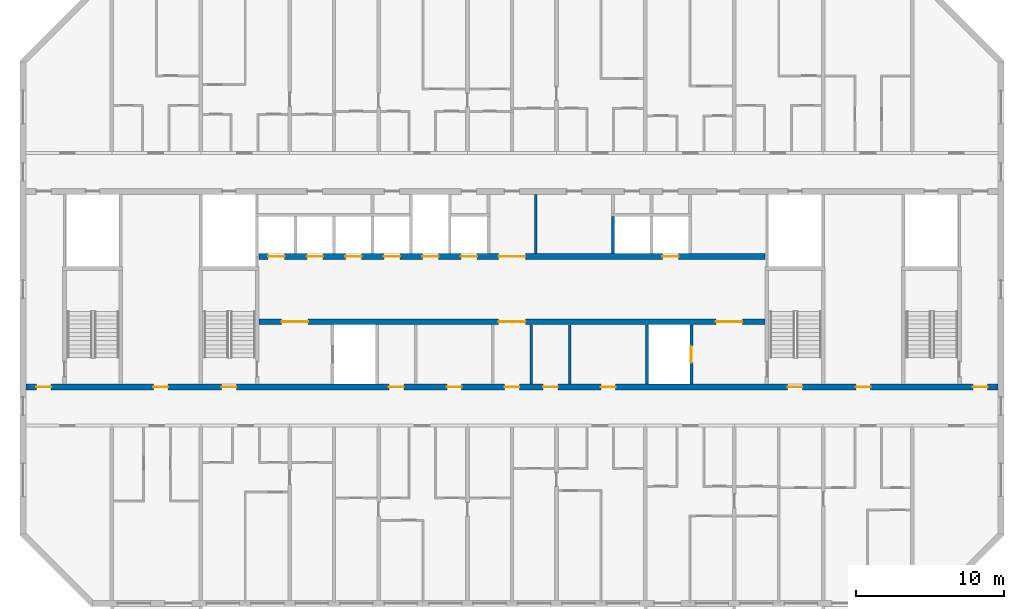
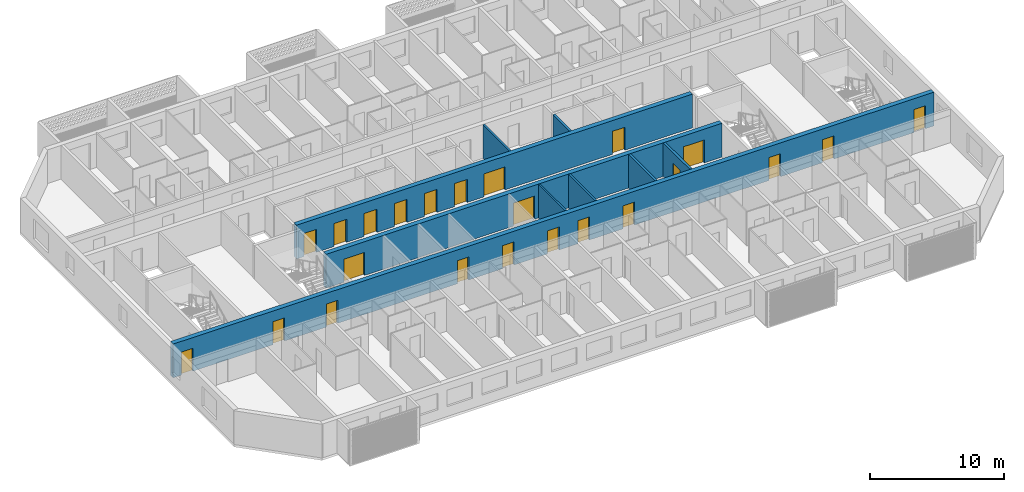
# One storey, part 6 of 28: 23 doors, 9 walls, 23 openings.
"""IFC4 building model written with IfcOpenShell, lengths in metres."""

from ifc_helpers import new_model, si_unit, direction, frame, frame_2d, origin, place, context, subcontext, project, spatial, rectangle, extrude, material, layer, layer_set, type_object, element, fill, save


model = new_model("IFC4")

# Units and contexts
model_context = context("Model", 3, precision=1e-05, world=origin(), true_north=direction((0.0, 1.0)))
body_context = subcontext(model_context, "Body", "Model", "MODEL_VIEW")
ifc_project = project(units=[si_unit("LENGTHUNIT", "METRE"), si_unit("AREAUNIT", "SQUARE_METRE"), si_unit("VOLUMEUNIT", "CUBIC_METRE"), si_unit("PLANEANGLEUNIT", "RADIAN"), si_unit("MASSUNIT", "GRAM", prefix="KILO")], contexts=[model_context])

# Site, building, storey
site_placement = place(None, origin())
site = spatial("IfcSite", under=ifc_project, at=site_placement, CompositionType="ELEMENT")
building_placement = place(site_placement, origin())
building = spatial("IfcBuilding", under=site, at=building_placement, Name="Poui Terraces", CompositionType="ELEMENT")
storey_placement = place(building_placement, frame((0.0, 0.0, 185.10009765625)))
storey = spatial("IfcBuildingStorey", under=building, at=storey_placement, Name="L51", CompositionType="ELEMENT", Elevation=185.10009765625)

# Wall, openings, doors
ifc_material_1 = material(Name="Concrete 50 MPa", Category="concrete")
ifc_layer_1 = layer(ifc_material_1, 0.39990234375)
ifc_layer_set_1 = layer_set([ifc_layer_1], Name="Concrete 50 MPa")
wall_type_1 = type_object("IfcWallType", Name="CORE WALL 400 50 MPA", PredefinedType="SOLIDWALL", material=ifc_layer_set_1)
wall_1_placement = place(storey_placement, frame((33.925048828125, 19.0, 0.0), z_axis=(0.0, 0.0, 1.0), x_axis=(1.0, 0.0, 0.0)))
wall_1 = element("IfcWall", 1, at=wall_1_placement, inside=storey, type_object=wall_type_1, Name="CORE WALL", PredefinedType="SOLIDWALL", context=body_context, shape_type="SweptSolid", body=[
    extrude(rectangle(XDim=34.14990234375, YDim=0.39990234375, at=frame_2d((17.074951171875, 0.0))), origin(), (0.0, 0.0, 1.0), 3.079833984375),
])
opening_1_placement = place(wall_1_placement, frame((16.175048828125, 0.0, 0.0)))
opening_1 = element("IfcOpeningElement", 2, at=opening_1_placement, cuts=wall_1, Name="Opening FDD60", PredefinedType="OPENING", context=body_context, shape_type="SweptSolid", body=[
    extrude(rectangle(XDim=1.800048828125, YDim=2.10009765625, at=frame_2d((0.89990234375, 1.050048828125))), frame((0.0, 0.2099609375, 0.0), z_axis=(0.0, -1.0, 0.0), x_axis=(1.0, 0.0, 0.0)), (0.0, 0.0, 1.0), 0.419921875),
])
opening_2_placement = place(wall_1_placement, frame((1.52490234375, 0.0, 0.0)))
opening_2 = element("IfcOpeningElement", 3, at=opening_2_placement, cuts=wall_1, Name="Opening FDD60", PredefinedType="OPENING", context=body_context, shape_type="SweptSolid", body=[
    extrude(rectangle(XDim=1.800048828125, YDim=2.10009765625, at=frame_2d((0.89990234375, 1.050048828125))), frame((0.0, 0.2099609375, 0.0), z_axis=(0.0, -1.0, 0.0), x_axis=(1.0, 0.0, 0.0)), (0.0, 0.0, 1.0), 0.419921875),
])
opening_3_placement = place(wall_1_placement, frame((30.824951171875, 0.0, 0.0)))
opening_3 = element("IfcOpeningElement", 4, at=opening_3_placement, cuts=wall_1, Name="Opening FDD60", PredefinedType="OPENING", context=body_context, shape_type="SweptSolid", body=[
    extrude(rectangle(XDim=1.800048828125, YDim=2.10009765625, at=frame_2d((0.89990234375, 1.050048828125))), frame((0.0, 0.2099609375, 0.0), z_axis=(0.0, -1.0, 0.0), x_axis=(1.0, 0.0, 0.0)), (0.0, 0.0, 1.0), 0.419921875),
])
ifc_material_2 = material(Name="Steel fire door", Category="steel")
door_type_1 = type_object("IfcDoorType", Name="DOUBLE LOBBY FIRE DOOR 1800 X 2100", OperationType="DOUBLE_DOOR_SINGLE_SWING", PredefinedType="DOOR", material=ifc_material_2)
door_1_placement = place(opening_1_placement, frame((1.800048828125, 0.0, 0.0), z_axis=(0.0, 0.0, 1.0), x_axis=(-1.0, 0.0, 0.0)))
door_1 = element("IfcDoor", 5, at=door_1_placement, inside=storey, type_object=door_type_1, Name="DOUBLE LOBBY FIRE DOOR 107", OperationType="DOUBLE_DOOR_SINGLE_SWING", OverallHeight=2.10009765625, OverallWidth=1.800048828125, PredefinedType="DOOR", context=body_context, shape_type="SweptSolid", body=[
    extrude(rectangle(XDim=1.800048828125, YDim=2.10009765625, at=frame_2d((0.89990234375, 1.050048828125))), frame((0.0, 0.02490234375, 0.0), z_axis=(0.0, -1.0, 0.0), x_axis=(1.0, 0.0, 0.0)), (0.0, 0.0, 1.0), 0.050048828125),
])
fill(opening_1, door_1)
door_2_placement = place(opening_2_placement, origin())
door_2 = element("IfcDoor", 6, at=door_2_placement, inside=storey, type_object=door_type_1, Name="DOUBLE LOBBY FIRE DOOR 109", OperationType="DOUBLE_DOOR_SINGLE_SWING", OverallHeight=2.10009765625, OverallWidth=1.800048828125, PredefinedType="DOOR", context=body_context, shape_type="SweptSolid", body=[
    extrude(rectangle(XDim=1.800048828125, YDim=2.10009765625, at=frame_2d((0.89990234375, 1.050048828125))), frame((0.0, 0.02490234375, 0.0), z_axis=(0.0, -1.0, 0.0), x_axis=(1.0, 0.0, 0.0)), (0.0, 0.0, 1.0), 0.050048828125),
])
fill(opening_2, door_2)
door_3_placement = place(opening_3_placement, origin())
door_3 = element("IfcDoor", 7, at=door_3_placement, inside=storey, type_object=door_type_1, Name="DOUBLE LOBBY FIRE DOOR 116", OperationType="DOUBLE_DOOR_SINGLE_SWING", OverallHeight=2.10009765625, OverallWidth=1.800048828125, PredefinedType="DOOR", context=body_context, shape_type="SweptSolid", body=[
    extrude(rectangle(XDim=1.800048828125, YDim=2.10009765625, at=frame_2d((0.89990234375, 1.050048828125))), frame((0.0, 0.02490234375, 0.0), z_axis=(0.0, -1.0, 0.0), x_axis=(1.0, 0.0, 0.0)), (0.0, 0.0, 1.0), 0.050048828125),
])
fill(opening_3, door_3)

wall_2_placement = place(storey_placement, frame((33.925048828125, 23.39990234375, 0.0), z_axis=(0.0, 0.0, 1.0), x_axis=(1.0, 0.0, 0.0)))
wall_2 = element("IfcWall", 8, at=wall_2_placement, inside=storey, type_object=wall_type_1, Name="CORE WALL", PredefinedType="SOLIDWALL", context=body_context, shape_type="SweptSolid", body=[
    extrude(rectangle(XDim=34.14990234375, YDim=0.39990234375, at=frame_2d((17.074951171875, 0.0))), origin(), (0.0, 0.0, 1.0), 3.079833984375),
])
opening_4_placement = place(wall_2_placement, frame((16.175048828125, 0.0, 0.0)))
opening_4 = element("IfcOpeningElement", 9, at=opening_4_placement, cuts=wall_2, Name="Opening FDD60", PredefinedType="OPENING", context=body_context, shape_type="SweptSolid", body=[
    extrude(rectangle(XDim=1.800048828125, YDim=2.10009765625, at=frame_2d((0.89990234375, 1.050048828125))), frame((0.0, 0.2099609375, 0.0), z_axis=(0.0, -1.0, 0.0), x_axis=(1.0, 0.0, 0.0)), (0.0, 0.0, 1.0), 0.419921875),
])
opening_5_placement = place(wall_2_placement, frame((0.625, 0.0, 0.0)))
opening_5 = element("IfcOpeningElement", 10, at=opening_5_placement, cuts=wall_2, Name="Opening LD", PredefinedType="OPENING", context=body_context, shape_type="SweptSolid", body=[
    extrude(rectangle(XDim=1.10009765625, YDim=2.10009765625, at=frame_2d((0.550048828125, 1.050048828125))), frame((0.0, 0.2099609375, 0.0), z_axis=(0.0, -1.0, 0.0), x_axis=(1.0, 0.0, 0.0)), (0.0, 0.0, 1.0), 0.419921875),
])
opening_6_placement = place(wall_2_placement, frame((3.22509765625, 0.0, 0.0)))
opening_6 = element("IfcOpeningElement", 11, at=opening_6_placement, cuts=wall_2, Name="Opening LD", PredefinedType="OPENING", context=body_context, shape_type="SweptSolid", body=[
    extrude(rectangle(XDim=1.10009765625, YDim=2.10009765625, at=frame_2d((0.550048828125, 1.050048828125))), frame((0.0, 0.2099609375, 0.0), z_axis=(0.0, -1.0, 0.0), x_axis=(1.0, 0.0, 0.0)), (0.0, 0.0, 1.0), 0.419921875),
])
opening_7_placement = place(wall_2_placement, frame((5.824951171875, 0.0, 0.0)))
opening_7 = element("IfcOpeningElement", 12, at=opening_7_placement, cuts=wall_2, Name="Opening LD", PredefinedType="OPENING", context=body_context, shape_type="SweptSolid", body=[
    extrude(rectangle(XDim=1.10009765625, YDim=2.10009765625, at=frame_2d((0.550048828125, 1.050048828125))), frame((0.0, 0.2099609375, 0.0), z_axis=(0.0, -1.0, 0.0), x_axis=(1.0, 0.0, 0.0)), (0.0, 0.0, 1.0), 0.419921875),
])
opening_8_placement = place(wall_2_placement, frame((8.425048828125, 0.0, 0.0)))
opening_8 = element("IfcOpeningElement", 13, at=opening_8_placement, cuts=wall_2, Name="Opening LD", PredefinedType="OPENING", context=body_context, shape_type="SweptSolid", body=[
    extrude(rectangle(XDim=1.10009765625, YDim=2.10009765625, at=frame_2d((0.550048828125, 1.050048828125))), frame((0.0, 0.2099609375, 0.0), z_axis=(0.0, -1.0, 0.0), x_axis=(1.0, 0.0, 0.0)), (0.0, 0.0, 1.0), 0.419921875),
])
opening_9_placement = place(wall_2_placement, frame((11.02490234375, 0.0, 0.0)))
opening_9 = element("IfcOpeningElement", 14, at=opening_9_placement, cuts=wall_2, Name="Opening LD", PredefinedType="OPENING", context=body_context, shape_type="SweptSolid", body=[
    extrude(rectangle(XDim=1.10009765625, YDim=2.10009765625, at=frame_2d((0.550048828125, 1.050048828125))), frame((0.0, 0.2099609375, 0.0), z_axis=(0.0, -1.0, 0.0), x_axis=(1.0, 0.0, 0.0)), (0.0, 0.0, 1.0), 0.419921875),
])
opening_10_placement = place(wall_2_placement, frame((13.625, 0.0, 0.0)))
opening_10 = element("IfcOpeningElement", 15, at=opening_10_placement, cuts=wall_2, Name="Opening LD", PredefinedType="OPENING", context=body_context, shape_type="SweptSolid", body=[
    extrude(rectangle(XDim=1.10009765625, YDim=2.10009765625, at=frame_2d((0.550048828125, 1.050048828125))), frame((0.0, 0.2099609375, 0.0), z_axis=(0.0, -1.0, 0.0), x_axis=(1.0, 0.0, 0.0)), (0.0, 0.0, 1.0), 0.419921875),
])
opening_11_placement = place(wall_2_placement, frame((27.22509765625, 0.0, 0.0)))
opening_11 = element("IfcOpeningElement", 16, at=opening_11_placement, cuts=wall_2, Name="Opening LD", PredefinedType="OPENING", context=body_context, shape_type="SweptSolid", body=[
    extrude(rectangle(XDim=1.10009765625, YDim=2.10009765625, at=frame_2d((0.550048828125, 1.050048828125))), frame((0.0, 0.2099609375, 0.0), z_axis=(0.0, -1.0, 0.0), x_axis=(1.0, 0.0, 0.0)), (0.0, 0.0, 1.0), 0.419921875),
])
door_4_placement = place(opening_4_placement, origin())
door_4 = element("IfcDoor", 17, at=door_4_placement, inside=storey, type_object=door_type_1, Name="DOUBLE LOBBY FIRE DOOR 106", OperationType="DOUBLE_DOOR_SINGLE_SWING", OverallHeight=2.10009765625, OverallWidth=1.800048828125, PredefinedType="DOOR", context=body_context, shape_type="SweptSolid", body=[
    extrude(rectangle(XDim=1.800048828125, YDim=2.10009765625, at=frame_2d((0.89990234375, 1.050048828125))), frame((0.0, 0.02490234375, 0.0), z_axis=(0.0, -1.0, 0.0), x_axis=(1.0, 0.0, 0.0)), (0.0, 0.0, 1.0), 0.050048828125),
])
fill(opening_4, door_4)
ifc_material_3 = material(Name="Stainless steel sliding door", Category="steel")
door_type_2 = type_object("IfcDoorType", Name="LIFT LANDING DOOR 1100 X 2100", OperationType="DOUBLE_DOOR_SLIDING", PredefinedType="DOOR", material=ifc_material_3)
door_5_placement = place(opening_5_placement, origin())
door_5 = element("IfcDoor", 18, at=door_5_placement, inside=storey, type_object=door_type_2, Name="LANDING DOOR", OperationType="DOUBLE_DOOR_SLIDING", OverallHeight=2.10009765625, OverallWidth=1.10009765625, PredefinedType="DOOR", context=body_context, shape_type="SweptSolid", body=[
    extrude(rectangle(XDim=1.10009765625, YDim=2.10009765625, at=frame_2d((0.550048828125, 1.050048828125))), frame((0.0, 0.02490234375, 0.0), z_axis=(0.0, -1.0, 0.0), x_axis=(1.0, 0.0, 0.0)), (0.0, 0.0, 1.0), 0.050048828125),
])
fill(opening_5, door_5)
door_6_placement = place(opening_6_placement, origin())
door_6 = element("IfcDoor", 19, at=door_6_placement, inside=storey, type_object=door_type_2, Name="LANDING DOOR", OperationType="DOUBLE_DOOR_SLIDING", OverallHeight=2.10009765625, OverallWidth=1.10009765625, PredefinedType="DOOR", context=body_context, shape_type="SweptSolid", body=[
    extrude(rectangle(XDim=1.10009765625, YDim=2.10009765625, at=frame_2d((0.550048828125, 1.050048828125))), frame((0.0, 0.02490234375, 0.0), z_axis=(0.0, -1.0, 0.0), x_axis=(1.0, 0.0, 0.0)), (0.0, 0.0, 1.0), 0.050048828125),
])
fill(opening_6, door_6)
door_7_placement = place(opening_7_placement, origin())
door_7 = element("IfcDoor", 20, at=door_7_placement, inside=storey, type_object=door_type_2, Name="LANDING DOOR", OperationType="DOUBLE_DOOR_SLIDING", OverallHeight=2.10009765625, OverallWidth=1.10009765625, PredefinedType="DOOR", context=body_context, shape_type="SweptSolid", body=[
    extrude(rectangle(XDim=1.10009765625, YDim=2.10009765625, at=frame_2d((0.550048828125, 1.050048828125))), frame((0.0, 0.02490234375, 0.0), z_axis=(0.0, -1.0, 0.0), x_axis=(1.0, 0.0, 0.0)), (0.0, 0.0, 1.0), 0.050048828125),
])
fill(opening_7, door_7)
door_8_placement = place(opening_8_placement, origin())
door_8 = element("IfcDoor", 21, at=door_8_placement, inside=storey, type_object=door_type_2, Name="LANDING DOOR", OperationType="DOUBLE_DOOR_SLIDING", OverallHeight=2.10009765625, OverallWidth=1.10009765625, PredefinedType="DOOR", context=body_context, shape_type="SweptSolid", body=[
    extrude(rectangle(XDim=1.10009765625, YDim=2.10009765625, at=frame_2d((0.550048828125, 1.050048828125))), frame((0.0, 0.02490234375, 0.0), z_axis=(0.0, -1.0, 0.0), x_axis=(1.0, 0.0, 0.0)), (0.0, 0.0, 1.0), 0.050048828125),
])
fill(opening_8, door_8)
door_9_placement = place(opening_9_placement, origin())
door_9 = element("IfcDoor", 22, at=door_9_placement, inside=storey, type_object=door_type_2, Name="LANDING DOOR", OperationType="DOUBLE_DOOR_SLIDING", OverallHeight=2.10009765625, OverallWidth=1.10009765625, PredefinedType="DOOR", context=body_context, shape_type="SweptSolid", body=[
    extrude(rectangle(XDim=1.10009765625, YDim=2.10009765625, at=frame_2d((0.550048828125, 1.050048828125))), frame((0.0, 0.02490234375, 0.0), z_axis=(0.0, -1.0, 0.0), x_axis=(1.0, 0.0, 0.0)), (0.0, 0.0, 1.0), 0.050048828125),
])
fill(opening_9, door_9)
door_10_placement = place(opening_10_placement, origin())
door_10 = element("IfcDoor", 23, at=door_10_placement, inside=storey, type_object=door_type_2, Name="LANDING DOOR", OperationType="DOUBLE_DOOR_SLIDING", OverallHeight=2.10009765625, OverallWidth=1.10009765625, PredefinedType="DOOR", context=body_context, shape_type="SweptSolid", body=[
    extrude(rectangle(XDim=1.10009765625, YDim=2.10009765625, at=frame_2d((0.550048828125, 1.050048828125))), frame((0.0, 0.02490234375, 0.0), z_axis=(0.0, -1.0, 0.0), x_axis=(1.0, 0.0, 0.0)), (0.0, 0.0, 1.0), 0.050048828125),
])
fill(opening_10, door_10)
door_11_placement = place(opening_11_placement, origin())
door_11 = element("IfcDoor", 24, at=door_11_placement, inside=storey, type_object=door_type_2, Name="LANDING DOOR", OperationType="DOUBLE_DOOR_SLIDING", OverallHeight=2.10009765625, OverallWidth=1.10009765625, PredefinedType="DOOR", context=body_context, shape_type="SweptSolid", body=[
    extrude(rectangle(XDim=1.10009765625, YDim=2.10009765625, at=frame_2d((0.550048828125, 1.050048828125))), frame((0.0, 0.02490234375, 0.0), z_axis=(0.0, -1.0, 0.0), x_axis=(1.0, 0.0, 0.0)), (0.0, 0.0, 1.0), 0.050048828125),
])
fill(opening_11, door_11)

# Walls
ifc_material_4 = material(Name="Fire-rated plasterboard wall")
ifc_layer_2 = layer(ifc_material_4, 0.14990234375)
ifc_layer_set_2 = layer_set([ifc_layer_2], Name="Fire-rated plasterboard wall")
wall_type_2 = type_object("IfcWallType", Name="CORRIDOR WALL 150", PredefinedType="PARTITIONING", material=ifc_layer_set_2)
for number, where, z_axis, x_axis, name in (
    (25, (52.300048828125, 14.81005859375, 0.0), (0.0, 0.0, 1.0), (0.0, 1.0, 0.0), "CORRIDOR WALL 150"),
    (26, (52.60009765625, 23.610107421875, 0.0), (0.0, 0.0, 1.0), (0.0, 1.0, 0.0), "CORRIDOR WALL 150"),
):
    element("IfcWall", number, at=place(storey_placement, frame(where, z_axis=z_axis, x_axis=x_axis)), inside=storey, type_object=wall_type_2, Name=name, PredefinedType="PARTITIONING", context=body_context, shape_type="SweptSolid", body=[
        extrude(rectangle(XDim=3.97998046875, YDim=0.14990234375, at=frame_2d((1.989990234375, 0.0))), origin(), (0.0, 0.0, 1.0), 3.079833984375),
    ])
ifc_material_5 = material(Name="Plasterboard partition")
ifc_layer_3 = layer(ifc_material_5, 0.14990234375)
ifc_layer_set_3 = layer_set([ifc_layer_3], Name="Plasterboard partition")
wall_type_3 = type_object("IfcWallType", Name="PARTITION WALL 150", PredefinedType="PARTITIONING", material=ifc_layer_set_3)
wall_3_placement = place(storey_placement, frame((54.89990234375, 14.81005859375, 0.0), z_axis=(0.0, 0.0, 1.0), x_axis=(0.0, 1.0, 0.0)))
element("IfcWall", 27, at=wall_3_placement, inside=storey, type_object=wall_type_3, Name="PARTITION WALL 150", PredefinedType="PARTITIONING", context=body_context, shape_type="SweptSolid", body=[
    extrude(rectangle(XDim=3.97998046875, YDim=0.14990234375, at=frame_2d((1.989990234375, 0.0))), origin(), (0.0, 0.0, 1.0), 3.079833984375),
])
ifc_material_6 = material(Name="Fire-rated masonry shaft wall", Category="masonry")
ifc_layer_4 = layer(ifc_material_6, 0.199951171875)
ifc_layer_set_4 = layer_set([ifc_layer_4], Name="Fire-rated masonry shaft wall")
wall_type_4 = type_object("IfcWallType", Name="SHAFT WALL 200", PredefinedType="PARTITIONING", material=ifc_layer_set_4)
wall_4_placement = place(storey_placement, frame((57.800048828125, 23.610107421875, 0.0), z_axis=(0.0, 0.0, 1.0), x_axis=(0.0, 1.0, 0.0)))
element("IfcWall", 28, at=wall_4_placement, inside=storey, type_object=wall_type_4, Name="SHAFT WALL 200", PredefinedType="PARTITIONING", context=body_context, shape_type="SweptSolid", body=[
    extrude(rectangle(XDim=2.489990234375, YDim=0.199951171875, at=frame_2d((1.2451171875, 0.0))), origin(), (0.0, 0.0, 1.0), 3.079833984375),
])
wall_5_placement = place(storey_placement, frame((60.10009765625, 14.81005859375, 0.0), z_axis=(0.0, 0.0, 1.0), x_axis=(0.0, 1.0, 0.0)))
element("IfcWall", 29, at=wall_5_placement, inside=storey, type_object=wall_type_4, Name="SHAFT WALL 200", PredefinedType="PARTITIONING", context=body_context, shape_type="SweptSolid", body=[
    extrude(rectangle(XDim=3.97998046875, YDim=0.199951171875, at=frame_2d((1.989990234375, 0.0))), origin(), (0.0, 0.0, 1.0), 3.079833984375),
])

# Wall, opening, door
wall_6_placement = place(storey_placement, frame((63.10009765625, 14.81005859375, 0.0), z_axis=(0.0, 0.0, 1.0), x_axis=(0.0, 1.0, 0.0)))
wall_6 = element("IfcWall", 30, at=wall_6_placement, inside=storey, type_object=wall_type_4, Name="SHAFT WALL 200", PredefinedType="PARTITIONING", context=body_context, shape_type="SweptSolid", body=[
    extrude(rectangle(XDim=3.97998046875, YDim=0.199951171875, at=frame_2d((1.989990234375, 0.0))), origin(), (0.0, 0.0, 1.0), 3.079833984375),
])
opening_12_placement = place(wall_6_placement, frame((1.43994140625, 0.0, 0.0)))
opening_12 = element("IfcOpeningElement", 31, at=opening_12_placement, cuts=wall_6, Name="Opening LD", PredefinedType="OPENING", context=body_context, shape_type="SweptSolid", body=[
    extrude(rectangle(XDim=1.10009765625, YDim=2.10009765625, at=frame_2d((0.550048828125, 1.050048828125))), frame((0.0, 0.10986328125, 0.0), z_axis=(0.0, -1.0, 0.0), x_axis=(1.0, 0.0, 0.0)), (0.0, 0.0, 1.0), 0.219970703125),
])
door_12_placement = place(opening_12_placement, origin())
door_12 = element("IfcDoor", 32, at=door_12_placement, inside=storey, type_object=door_type_2, Name="LANDING DOOR", OperationType="DOUBLE_DOOR_SLIDING", OverallHeight=2.10009765625, OverallWidth=1.10009765625, PredefinedType="DOOR", context=body_context, shape_type="SweptSolid", body=[
    extrude(rectangle(XDim=1.10009765625, YDim=2.10009765625, at=frame_2d((0.550048828125, 1.050048828125))), frame((0.0, 0.02490234375, 0.0), z_axis=(0.0, -1.0, 0.0), x_axis=(1.0, 0.0, 0.0)), (0.0, 0.0, 1.0), 0.050048828125),
])
fill(opening_12, door_12)

# Wall, openings, doors
ifc_layer_5 = layer(ifc_material_1, 0.39990234375)
ifc_layer_set_5 = layer_set([ifc_layer_5], Name="Concrete 50 MPa")
wall_type_5 = type_object("IfcWallType", Name="SPINE WALL 400 50 MPA", PredefinedType="SOLIDWALL", material=ifc_layer_set_5)
wall_7_placement = place(storey_placement, frame((18.199951171875, 14.60009765625, 0.0), z_axis=(0.0, 0.0, 1.0), x_axis=(1.0, 0.0, 0.0)))
wall_7 = element("IfcWall", 33, at=wall_7_placement, inside=storey, type_object=wall_type_5, Name="SPINE WALL", PredefinedType="SOLIDWALL", context=body_context, shape_type="SweptSolid", body=[
    extrude(rectangle(XDim=65.60009765625, YDim=0.39990234375, at=frame_2d((32.800048828125, 0.0))), origin(), (0.0, 0.0, 1.0), 3.079833984375),
])
opening_13_placement = place(wall_7_placement, frame((0.699951171875, 0.0, 0.0)))
opening_13 = element("IfcOpeningElement", 34, at=opening_13_placement, cuts=wall_7, Name="Opening FDL", PredefinedType="OPENING", context=body_context, shape_type="SweptSolid", body=[
    extrude(rectangle(XDim=1.0, YDim=2.10009765625, at=frame_2d((0.5, 1.050048828125))), frame((0.0, 0.2099609375, 0.0), z_axis=(0.0, -1.0, 0.0), x_axis=(1.0, 0.0, 0.0)), (0.0, 0.0, 1.0), 0.419921875),
])
opening_14_placement = place(wall_7_placement, frame((8.60009765625, 0.0, 0.0)))
opening_14 = element("IfcOpeningElement", 35, at=opening_14_placement, cuts=wall_7, Name="Opening D100", PredefinedType="OPENING", context=body_context, shape_type="SweptSolid", body=[
    extrude(rectangle(XDim=1.0, YDim=2.10009765625, at=frame_2d((0.5, 1.050048828125))), frame((0.0, 0.2099609375, 0.0), z_axis=(0.0, -1.0, 0.0), x_axis=(1.0, 0.0, 0.0)), (0.0, 0.0, 1.0), 0.419921875),
])
opening_15_placement = place(wall_7_placement, frame((13.199951171875, 0.0, 0.0)))
opening_15 = element("IfcOpeningElement", 36, at=opening_15_placement, cuts=wall_7, Name="Opening FD60S", PredefinedType="OPENING", context=body_context, shape_type="SweptSolid", body=[
    extrude(rectangle(XDim=1.0, YDim=2.10009765625, at=frame_2d((0.5, 1.050048828125))), frame((0.0, 0.2099609375, 0.0), z_axis=(0.0, -1.0, 0.0), x_axis=(1.0, 0.0, 0.0)), (0.0, 0.0, 1.0), 0.419921875),
])
opening_16_placement = place(wall_7_placement, frame((24.5, 0.0, 0.0)))
opening_16 = element("IfcOpeningElement", 37, at=opening_16_placement, cuts=wall_7, Name="Opening FD60", PredefinedType="OPENING", context=body_context, shape_type="SweptSolid", body=[
    extrude(rectangle(XDim=1.0, YDim=2.10009765625, at=frame_2d((0.5, 1.050048828125))), frame((0.0, 0.2099609375, 0.0), z_axis=(0.0, -1.0, 0.0), x_axis=(1.0, 0.0, 0.0)), (0.0, 0.0, 1.0), 0.419921875),
])
opening_17_placement = place(wall_7_placement, frame((28.39990234375, 0.0, 0.0)))
opening_17 = element("IfcOpeningElement", 38, at=opening_17_placement, cuts=wall_7, Name="Opening FD60", PredefinedType="OPENING", context=body_context, shape_type="SweptSolid", body=[
    extrude(rectangle(XDim=1.0, YDim=2.10009765625, at=frame_2d((0.5, 1.050048828125))), frame((0.0, 0.2099609375, 0.0), z_axis=(0.0, -1.0, 0.0), x_axis=(1.0, 0.0, 0.0)), (0.0, 0.0, 1.0), 0.419921875),
])
opening_18_placement = place(wall_7_placement, frame((32.300048828125, 0.0, 0.0)))
opening_18 = element("IfcOpeningElement", 39, at=opening_18_placement, cuts=wall_7, Name="Opening FDL", PredefinedType="OPENING", context=body_context, shape_type="SweptSolid", body=[
    extrude(rectangle(XDim=1.0, YDim=2.10009765625, at=frame_2d((0.5, 1.050048828125))), frame((0.0, 0.2099609375, 0.0), z_axis=(0.0, -1.0, 0.0), x_axis=(1.0, 0.0, 0.0)), (0.0, 0.0, 1.0), 0.419921875),
])
opening_19_placement = place(wall_7_placement, frame((34.89990234375, 0.0, 0.0)))
opening_19 = element("IfcOpeningElement", 40, at=opening_19_placement, cuts=wall_7, Name="Opening FD60", PredefinedType="OPENING", context=body_context, shape_type="SweptSolid", body=[
    extrude(rectangle(XDim=1.0, YDim=2.10009765625, at=frame_2d((0.5, 1.050048828125))), frame((0.0, 0.2099609375, 0.0), z_axis=(0.0, -1.0, 0.0), x_axis=(1.0, 0.0, 0.0)), (0.0, 0.0, 1.0), 0.419921875),
])
opening_20_placement = place(wall_7_placement, frame((38.800048828125, 0.0, 0.0)))
opening_20 = element("IfcOpeningElement", 41, at=opening_20_placement, cuts=wall_7, Name="Opening FD60", PredefinedType="OPENING", context=body_context, shape_type="SweptSolid", body=[
    extrude(rectangle(XDim=1.0, YDim=2.10009765625, at=frame_2d((0.5, 1.050048828125))), frame((0.0, 0.2099609375, 0.0), z_axis=(0.0, -1.0, 0.0), x_axis=(1.0, 0.0, 0.0)), (0.0, 0.0, 1.0), 0.419921875),
])
opening_21_placement = place(wall_7_placement, frame((51.39990234375, 0.0, 0.0)))
opening_21 = element("IfcOpeningElement", 42, at=opening_21_placement, cuts=wall_7, Name="Opening FD60S", PredefinedType="OPENING", context=body_context, shape_type="SweptSolid", body=[
    extrude(rectangle(XDim=1.0, YDim=2.10009765625, at=frame_2d((0.5, 1.050048828125))), frame((0.0, 0.2099609375, 0.0), z_axis=(0.0, -1.0, 0.0), x_axis=(1.0, 0.0, 0.0)), (0.0, 0.0, 1.0), 0.419921875),
])
opening_22_placement = place(wall_7_placement, frame((56.0, 0.0, 0.0)))
opening_22 = element("IfcOpeningElement", 43, at=opening_22_placement, cuts=wall_7, Name="Opening D100", PredefinedType="OPENING", context=body_context, shape_type="SweptSolid", body=[
    extrude(rectangle(XDim=1.0, YDim=2.10009765625, at=frame_2d((0.5, 1.050048828125))), frame((0.0, 0.2099609375, 0.0), z_axis=(0.0, -1.0, 0.0), x_axis=(1.0, 0.0, 0.0)), (0.0, 0.0, 1.0), 0.419921875),
])
opening_23_placement = place(wall_7_placement, frame((63.89990234375, 0.0, 0.0)))
opening_23 = element("IfcOpeningElement", 44, at=opening_23_placement, cuts=wall_7, Name="Opening FDL", PredefinedType="OPENING", context=body_context, shape_type="SweptSolid", body=[
    extrude(rectangle(XDim=1.0, YDim=2.10009765625, at=frame_2d((0.5, 1.050048828125))), frame((0.0, 0.2099609375, 0.0), z_axis=(0.0, -1.0, 0.0), x_axis=(1.0, 0.0, 0.0)), (0.0, 0.0, 1.0), 0.419921875),
])
ifc_material_7 = material(Name="Solid core timber door", Category="wood")
door_type_3 = type_object("IfcDoorType", Name="ACCESSIBLE INTERNAL DOOR 1000 X 2100", OperationType="NOTDEFINED", PredefinedType="DOOR", material=ifc_material_7)
door_13_placement = place(opening_14_placement, frame((1.0, 0.0, 0.0), z_axis=(0.0, 0.0, 1.0), x_axis=(-1.0, 0.0, 0.0)))
door_13 = element("IfcDoor", 45, at=door_13_placement, inside=storey, type_object=door_type_3, Name="ACCESSIBLE INTERNAL DOOR 016", OperationType="SINGLE_SWING_RIGHT", OverallHeight=2.10009765625, OverallWidth=1.0, PredefinedType="DOOR", context=body_context, shape_type="SweptSolid", body=[
    extrude(rectangle(XDim=1.0, YDim=2.10009765625, at=frame_2d((0.5, 1.050048828125))), frame((0.0, 0.02490234375, 0.0), z_axis=(0.0, -1.0, 0.0), x_axis=(1.0, 0.0, 0.0)), (0.0, 0.0, 1.0), 0.050048828125),
])
fill(opening_14, door_13)
door_14_placement = place(opening_22_placement, frame((1.0, 0.0, 0.0), z_axis=(0.0, 0.0, 1.0), x_axis=(-1.0, 0.0, 0.0)))
door_14 = element("IfcDoor", 46, at=door_14_placement, inside=storey, type_object=door_type_3, Name="ACCESSIBLE INTERNAL DOOR 024", OperationType="SINGLE_SWING_LEFT", OverallHeight=2.10009765625, OverallWidth=1.0, PredefinedType="DOOR", context=body_context, shape_type="SweptSolid", body=[
    extrude(rectangle(XDim=1.0, YDim=2.10009765625, at=frame_2d((0.5, 1.050048828125))), frame((0.0, 0.02490234375, 0.0), z_axis=(0.0, -1.0, 0.0), x_axis=(1.0, 0.0, 0.0)), (0.0, 0.0, 1.0), 0.050048828125),
])
fill(opening_22, door_14)
door_type_4 = type_object("IfcDoorType", Name="LOBBY FIRE DOOR 1000 X 2100", OperationType="NOTDEFINED", PredefinedType="DOOR", material=ifc_material_2)
door_15_placement = place(opening_13_placement, frame((1.0, 0.0, 0.0), z_axis=(0.0, 0.0, 1.0), x_axis=(-1.0, 0.0, 0.0)))
door_15 = element("IfcDoor", 47, at=door_15_placement, inside=storey, type_object=door_type_4, Name="LOBBY FIRE DOOR 015", OperationType="SINGLE_SWING_RIGHT", OverallHeight=2.10009765625, OverallWidth=1.0, PredefinedType="DOOR", context=body_context, shape_type="SweptSolid", body=[
    extrude(rectangle(XDim=1.0, YDim=2.10009765625, at=frame_2d((0.5, 1.050048828125))), frame((0.0, 0.02490234375, 0.0), z_axis=(0.0, -1.0, 0.0), x_axis=(1.0, 0.0, 0.0)), (0.0, 0.0, 1.0), 0.050048828125),
])
fill(opening_13, door_15)
door_16_placement = place(opening_18_placement, frame((1.0, 0.0, 0.0), z_axis=(0.0, 0.0, 1.0), x_axis=(-1.0, 0.0, 0.0)))
door_16 = element("IfcDoor", 48, at=door_16_placement, inside=storey, type_object=door_type_4, Name="LOBBY FIRE DOOR 020", OperationType="SINGLE_SWING_LEFT", OverallHeight=2.10009765625, OverallWidth=1.0, PredefinedType="DOOR", context=body_context, shape_type="SweptSolid", body=[
    extrude(rectangle(XDim=1.0, YDim=2.10009765625, at=frame_2d((0.5, 1.050048828125))), frame((0.0, 0.02490234375, 0.0), z_axis=(0.0, -1.0, 0.0), x_axis=(1.0, 0.0, 0.0)), (0.0, 0.0, 1.0), 0.050048828125),
])
fill(opening_18, door_16)
door_17_placement = place(opening_23_placement, frame((1.0, 0.0, 0.0), z_axis=(0.0, 0.0, 1.0), x_axis=(-1.0, 0.0, 0.0)))
door_17 = element("IfcDoor", 49, at=door_17_placement, inside=storey, type_object=door_type_4, Name="LOBBY FIRE DOOR 025", OperationType="SINGLE_SWING_LEFT", OverallHeight=2.10009765625, OverallWidth=1.0, PredefinedType="DOOR", context=body_context, shape_type="SweptSolid", body=[
    extrude(rectangle(XDim=1.0, YDim=2.10009765625, at=frame_2d((0.5, 1.050048828125))), frame((0.0, 0.02490234375, 0.0), z_axis=(0.0, -1.0, 0.0), x_axis=(1.0, 0.0, 0.0)), (0.0, 0.0, 1.0), 0.050048828125),
])
fill(opening_23, door_17)
door_type_5 = type_object("IfcDoorType", Name="SERVICE ROOM FIRE DOOR 1000 X 2100", OperationType="NOTDEFINED", PredefinedType="DOOR", material=ifc_material_2)
door_18_placement = place(opening_16_placement, frame((1.0, 0.0, 0.0), z_axis=(0.0, 0.0, 1.0), x_axis=(-1.0, 0.0, 0.0)))
door_18 = element("IfcDoor", 50, at=door_18_placement, inside=storey, type_object=door_type_5, Name="SERVICE ROOM FIRE DOOR 018", OperationType="SINGLE_SWING_LEFT", OverallHeight=2.10009765625, OverallWidth=1.0, PredefinedType="DOOR", context=body_context, shape_type="SweptSolid", body=[
    extrude(rectangle(XDim=1.0, YDim=2.10009765625, at=frame_2d((0.5, 1.050048828125))), frame((0.0, 0.02490234375, 0.0), z_axis=(0.0, -1.0, 0.0), x_axis=(1.0, 0.0, 0.0)), (0.0, 0.0, 1.0), 0.050048828125),
])
fill(opening_16, door_18)
door_19_placement = place(opening_17_placement, frame((1.0, 0.0, 0.0), z_axis=(0.0, 0.0, 1.0), x_axis=(-1.0, 0.0, 0.0)))
door_19 = element("IfcDoor", 51, at=door_19_placement, inside=storey, type_object=door_type_5, Name="SERVICE ROOM FIRE DOOR 019", OperationType="SINGLE_SWING_RIGHT", OverallHeight=2.10009765625, OverallWidth=1.0, PredefinedType="DOOR", context=body_context, shape_type="SweptSolid", body=[
    extrude(rectangle(XDim=1.0, YDim=2.10009765625, at=frame_2d((0.5, 1.050048828125))), frame((0.0, 0.02490234375, 0.0), z_axis=(0.0, -1.0, 0.0), x_axis=(1.0, 0.0, 0.0)), (0.0, 0.0, 1.0), 0.050048828125),
])
fill(opening_17, door_19)
door_20_placement = place(opening_19_placement, frame((1.0, 0.0, 0.0), z_axis=(0.0, 0.0, 1.0), x_axis=(-1.0, 0.0, 0.0)))
door_20 = element("IfcDoor", 52, at=door_20_placement, inside=storey, type_object=door_type_5, Name="SERVICE ROOM FIRE DOOR 021", OperationType="SINGLE_SWING_LEFT", OverallHeight=2.10009765625, OverallWidth=1.0, PredefinedType="DOOR", context=body_context, shape_type="SweptSolid", body=[
    extrude(rectangle(XDim=1.0, YDim=2.10009765625, at=frame_2d((0.5, 1.050048828125))), frame((0.0, 0.02490234375, 0.0), z_axis=(0.0, -1.0, 0.0), x_axis=(1.0, 0.0, 0.0)), (0.0, 0.0, 1.0), 0.050048828125),
])
fill(opening_19, door_20)
door_21_placement = place(opening_20_placement, frame((1.0, 0.0, 0.0), z_axis=(0.0, 0.0, 1.0), x_axis=(-1.0, 0.0, 0.0)))
door_21 = element("IfcDoor", 53, at=door_21_placement, inside=storey, type_object=door_type_5, Name="SERVICE ROOM FIRE DOOR 022", OperationType="SINGLE_SWING_RIGHT", OverallHeight=2.10009765625, OverallWidth=1.0, PredefinedType="DOOR", context=body_context, shape_type="SweptSolid", body=[
    extrude(rectangle(XDim=1.0, YDim=2.10009765625, at=frame_2d((0.5, 1.050048828125))), frame((0.0, 0.02490234375, 0.0), z_axis=(0.0, -1.0, 0.0), x_axis=(1.0, 0.0, 0.0)), (0.0, 0.0, 1.0), 0.050048828125),
])
fill(opening_20, door_21)
door_type_6 = type_object("IfcDoorType", Name="STAIR DOOR 1000 X 2100", OperationType="NOTDEFINED", PredefinedType="DOOR", material=ifc_material_2)
door_22_placement = place(opening_15_placement, origin())
door_22 = element("IfcDoor", 54, at=door_22_placement, inside=storey, type_object=door_type_6, Name="STAIR DOOR 017", OperationType="SINGLE_SWING_RIGHT", OverallHeight=2.10009765625, OverallWidth=1.0, PredefinedType="DOOR", context=body_context, shape_type="SweptSolid", body=[
    extrude(rectangle(XDim=1.0, YDim=2.10009765625, at=frame_2d((0.5, 1.050048828125))), frame((0.0, 0.02490234375, 0.0), z_axis=(0.0, -1.0, 0.0), x_axis=(1.0, 0.0, 0.0)), (0.0, 0.0, 1.0), 0.050048828125),
])
fill(opening_15, door_22)
door_23_placement = place(opening_21_placement, origin())
door_23 = element("IfcDoor", 55, at=door_23_placement, inside=storey, type_object=door_type_6, Name="STAIR DOOR 023", OperationType="SINGLE_SWING_RIGHT", OverallHeight=2.10009765625, OverallWidth=1.0, PredefinedType="DOOR", context=body_context, shape_type="SweptSolid", body=[
    extrude(rectangle(XDim=1.0, YDim=2.10009765625, at=frame_2d((0.5, 1.050048828125))), frame((0.0, 0.02490234375, 0.0), z_axis=(0.0, -1.0, 0.0), x_axis=(1.0, 0.0, 0.0)), (0.0, 0.0, 1.0), 0.050048828125),
])
fill(opening_21, door_23)

save(model, "model.ifc")
